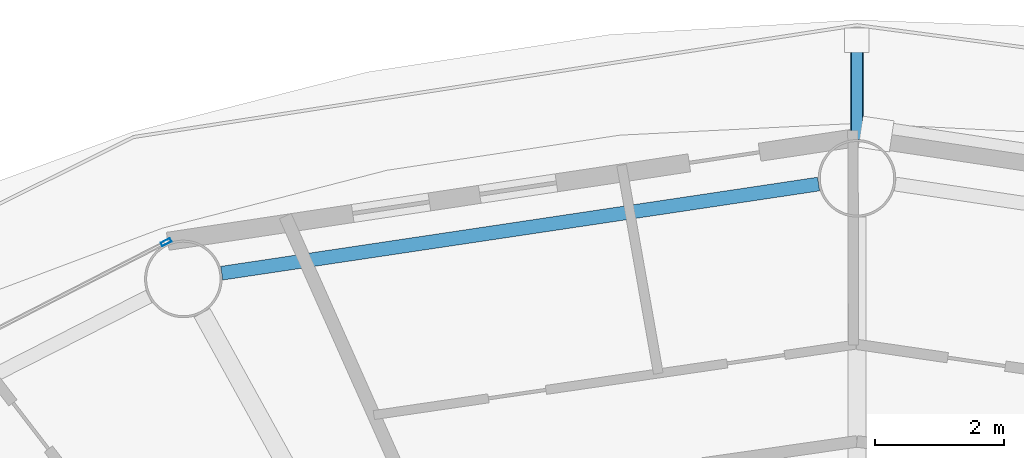
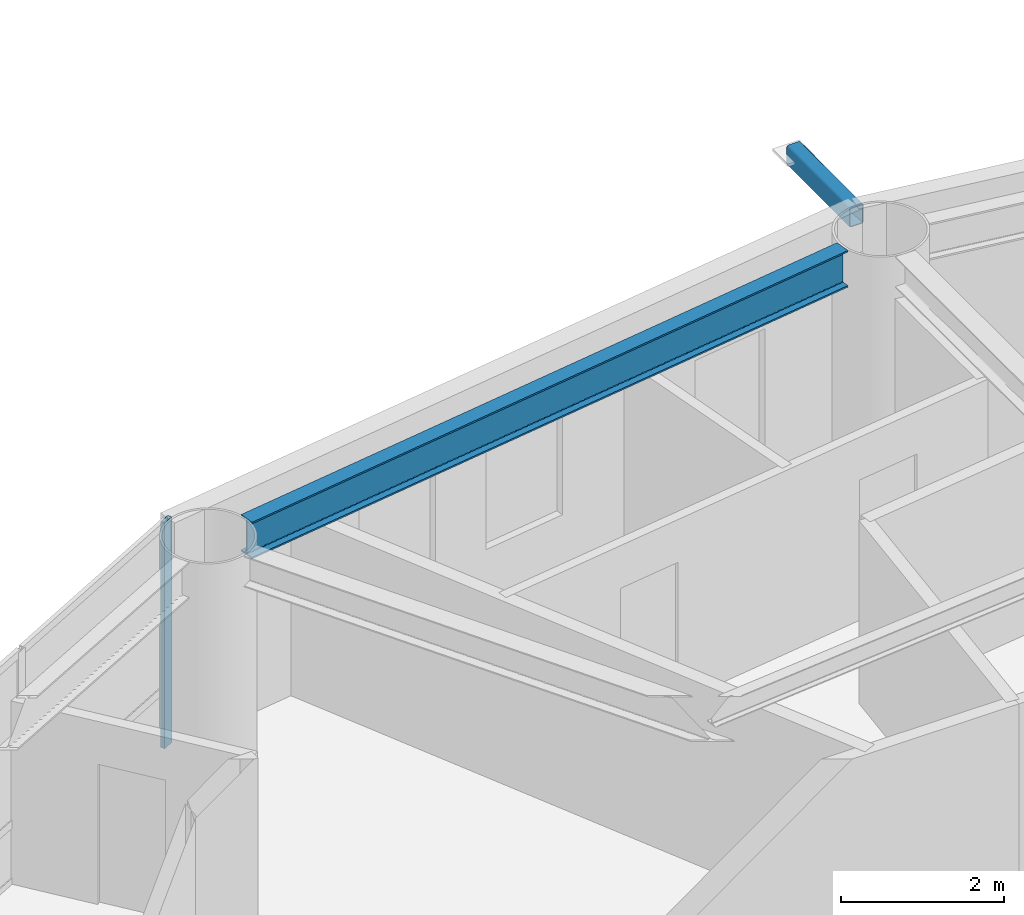
# One storey, part 13 of 27: 2 members, 1 beam, 1 element without a shape of its own.
"""IFC4 building model written with IfcOpenShell, lengths in metres."""

from ifc_helpers import new_model, si_unit, direction, frame, origin, origin_2d, place, context, subcontext, project, spatial, hollow_rectangle, i_section, extrude, material, layer, layer_set, material_profile, profile_set, type_object, element, aggregate, save


model = new_model("IFC4")

# Units and contexts
model_context = context("Model", 3, precision=1e-05, world=origin(), true_north=direction((0.0, 1.0)))
body_context = subcontext(model_context, "Body", "Model", "MODEL_VIEW")
ifc_project = project(units=[si_unit("LENGTHUNIT", "METRE"), si_unit("AREAUNIT", "SQUARE_METRE"), si_unit("VOLUMEUNIT", "CUBIC_METRE"), si_unit("PLANEANGLEUNIT", "RADIAN"), si_unit("MASSUNIT", "GRAM", prefix="KILO")], contexts=[model_context])

# Site, building, storey
site_placement = place(None, origin())
site = spatial("IfcSite", under=ifc_project, at=site_placement, CompositionType="ELEMENT")
building_placement = place(site_placement, origin())
building = spatial("IfcBuilding", under=site, at=building_placement, Name="Sarneth Arch Tower", CompositionType="ELEMENT")
storey_placement = place(building_placement, frame((0.0, 0.0, 193.800048828125)))
storey = spatial("IfcBuildingStorey", under=building, at=storey_placement, Name="L49", CompositionType="ELEMENT", Elevation=193.800048828125)

# Beam
ifc_material_1 = material(Name="Steel S355", Category="steel")
ifc_material_profile_1 = material_profile(ifc_material_1, i_section(OverallWidth=0.214111328125, OverallDepth=0.549072265625, WebThickness=0.0146484375, FlangeThickness=0.023681640625, FilletRadius=0.01806640625, at=origin_2d()), Name="W530x138")
ifc_profile_set_1 = profile_set([ifc_material_profile_1], Name="Steel S355")
beam_type = type_object("IfcBeamType", Name="BM-RAD-530A", PredefinedType="BEAM", material=ifc_profile_set_1)
beam_placement = place(storey_placement, frame((47.406494140625, 62.361328125, 3.10546875), z_axis=(-0.98902783755, -0.147729267756, 0.0), x_axis=(0.147729267756, -0.98902783755, 0.0)))
element("IfcBeam", 1, at=beam_placement, inside=storey, type_object=beam_type, Name="L49 Perimeter spandrel beam 05", PredefinedType="BEAM", context=body_context, shape_type="SweptSolid", body=[
    extrude(i_section(OverallWidth=0.214111328125, OverallDepth=0.549072265625, WebThickness=0.0146484375, FlangeThickness=0.023681640625, FilletRadius=0.01806640625, at=origin_2d()), origin(), (0.0, 0.0, 1.0), 9.33740234375),
])

# Curtain wall, member
ifc_material_2 = material(Name="Anodised aluminium Type AA25 and solar-control low-e laminated IGU", Category="aluminium")
ifc_layer = layer(ifc_material_2, 0.169921875)
ifc_layer_set = layer_set([ifc_layer], Name="Anodised aluminium Type AA25 and solar-control low-e laminated IGU")
curtain_wall_type = type_object("IfcCurtainWallType", Name="CW-RES-MID", PredefinedType="NOTDEFINED", material=ifc_layer_set)
curtain_wall_placement = place(storey_placement, origin())
curtain_wall = element("IfcCurtainWall", 2, at=curtain_wall_placement, inside=storey, type_object=curtain_wall_type, Name="L49 Unitised curtain wall facet 06", PredefinedType="NOTDEFINED")
ifc_material_3 = material(Name="Anodised Aluminium 6063-T6", Category="aluminium")
ifc_material_profile_2 = material_profile(ifc_material_3, hollow_rectangle(XDim=0.06005859375, YDim=0.159912109375, WallThickness=0.00390625, at=origin_2d()), Name="AL-MULL-160x60x4")
ifc_profile_set_2 = profile_set([ifc_material_profile_2], Name="Anodised Aluminium 6063-T6")
member_type_1 = type_object("IfcMemberType", Name="CW-MULLION", PredefinedType="MULLION", material=ifc_profile_set_2)
member_1_placement = place(storey_placement, frame((37.310546875, 61.461669921875, 0.0), z_axis=(0.0, 0.0, 1.0), x_axis=(0.456208470329, -0.88987293003, 0.0)))
member_1 = element("IfcMember", 3, at=member_1_placement, type_object=member_type_1, Name="CW-SYS-5 mullion 1", PredefinedType="MULLION", context=body_context, shape_type="SweptSolid", body=[
    extrude(hollow_rectangle(XDim=0.06005859375, YDim=0.159912109375, WallThickness=0.00390625, at=origin_2d()), origin(), (0.0, 0.0, 1.0), 3.3798828125),
])
aggregate(curtain_wall, [member_1])

# Member
ifc_material_4 = material(Name="Steel S355", Category="steel")
ifc_material_profile_3 = material_profile(ifc_material_4, hollow_rectangle(XDim=0.199951171875, YDim=0.300048828125, WallThickness=0.012451171875, InnerFilletRadius=0.018798828125, OuterFilletRadius=0.03125, at=origin_2d()), Name="RHS300x200x12.5")
ifc_profile_set_3 = profile_set([ifc_material_profile_3], Name="Steel S355")
member_type_2 = type_object("IfcMemberType", Name="MEM-CANT-STRUT", PredefinedType="STRUT", material=ifc_profile_set_3)
member_2_placement = place(storey_placement, frame((48.0, 63.050048828125, 3.219970703125), z_axis=(0.0, 1.0, 0.0), x_axis=(-1.0, 0.0, 0.0)))
element("IfcMember", 4, at=member_2_placement, inside=storey, type_object=member_type_2, Name="L49 Balcony cantilever bracket 05", PredefinedType="STRUT", context=body_context, shape_type="SweptSolid", body=[
    extrude(hollow_rectangle(XDim=0.199951171875, YDim=0.300048828125, WallThickness=0.012451171875, InnerFilletRadius=0.018798828125, OuterFilletRadius=0.03125, at=origin_2d()), origin(), (0.0, 0.0, 1.0), 1.536865234375),
])

save(model, "model.ifc")
